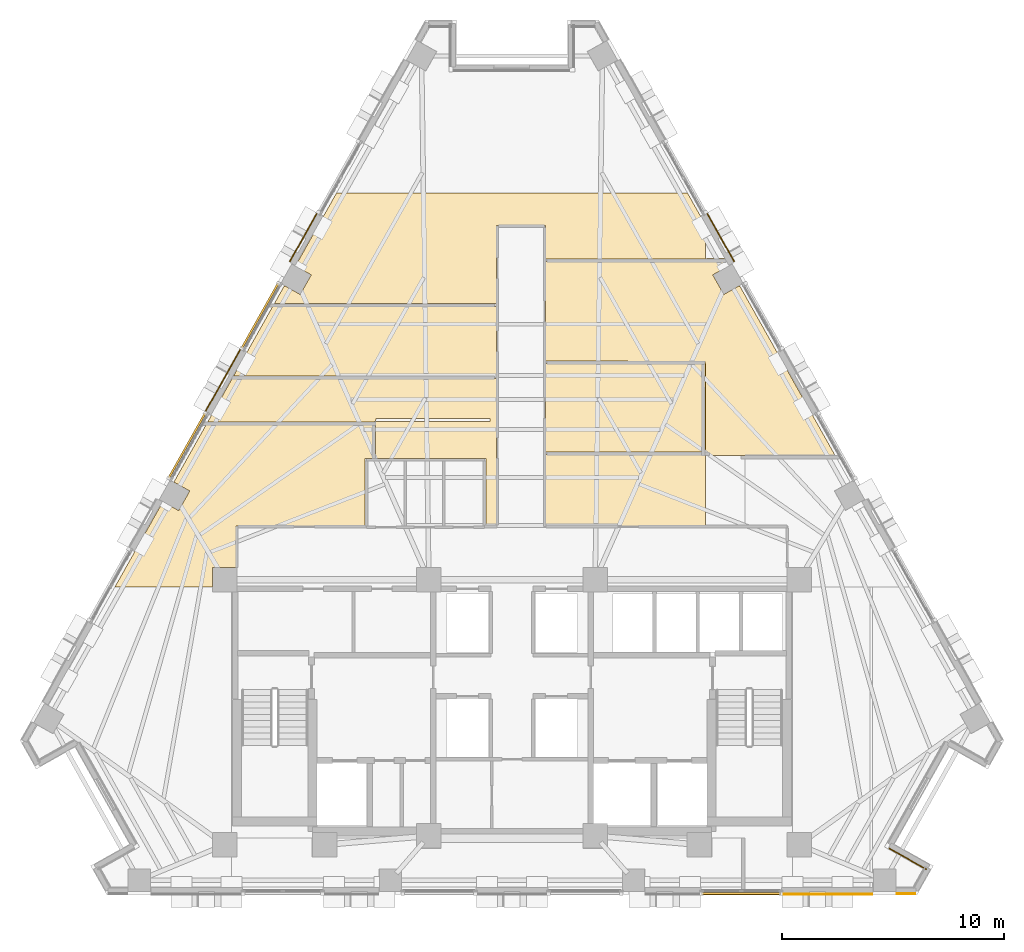
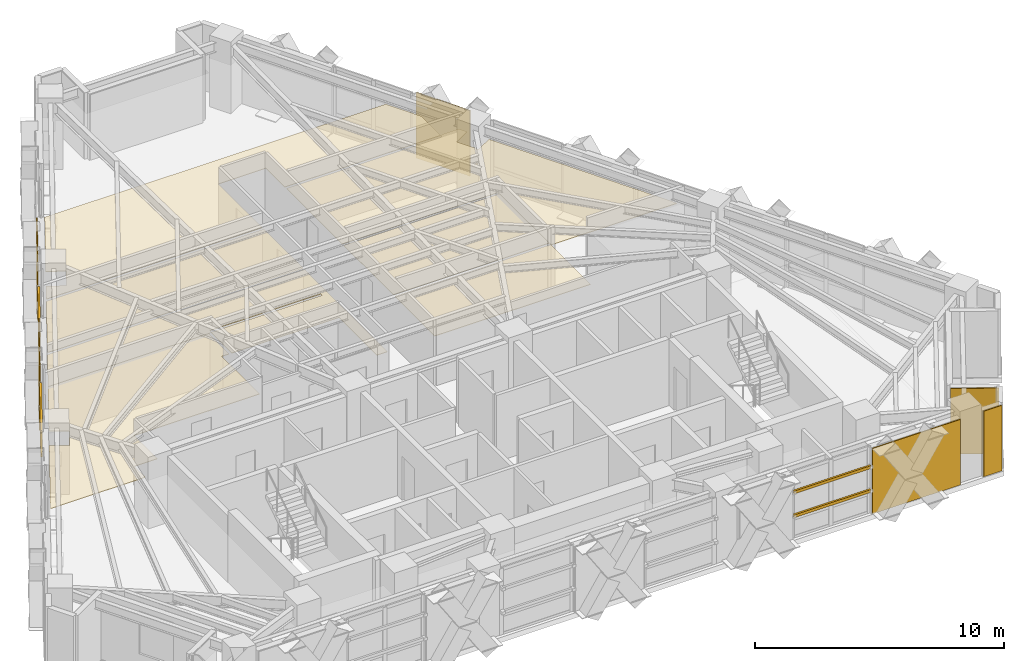
# One storey, part 12 of 14: 13 coverings, 6 shading devices.
"""IFC4 building model written with IfcOpenShell, lengths in metres."""

import ifcopenshell
import ifcopenshell.guid

model = None  # the IFC model being written
_history = None  # IfcOwnerHistory: only IFC2X3 demands one
_inside = {}  # id of a spatial element -> (the spatial element, [elements in it])
_under = {}  # id of a project, library or spatial element -> (it, [spatial elements below it])
_declared = {}  # id of a project -> (the project, [libraries it declares])
_typed = {}  # id of a type object -> (the type object, [elements of that type])
_made_of = {}  # id of a material, layer set ... -> (it, [elements and type objects made of it])


def new_model(schema):
    """Start an empty IFC model of exactly this schema.

    Asked for "IFC4X3", IfcOpenShell would pick the latest addendum, in which some entities
    have other attributes; the version numbers below select the first issue.
    IFC2X3 requires an IfcOwnerHistory on every rooted entity: one is made here for all.
    """
    global model, _history
    if schema == "IFC4X3":
        model = ifcopenshell.file(schema_version=(4, 3, 0, 0))
    else:
        model = ifcopenshell.file(schema=schema)
    _inside.clear()
    _under.clear()
    _declared.clear()
    _typed.clear()
    _made_of.clear()
    _history = None
    if model.schema == "IFC2X3":
        org = make("IfcOrganization", Name="unknown")
        user = make(
            "IfcPersonAndOrganization",
            ThePerson=make("IfcPerson", FamilyName="unknown"),
            TheOrganization=org,
        )
        app = make(
            "IfcApplication",
            ApplicationDeveloper=org,
            Version="unknown",
            ApplicationFullName="unknown",
            ApplicationIdentifier="unknown",
        )
        _history = make(
            "IfcOwnerHistory",
            OwningUser=user,
            OwningApplication=app,
            ChangeAction="ADDED",
            CreationDate=0,
        )
    return model


def make(cls, **values):
    """One entity of the class cls with the attributes given. An attribute that is None is left unset."""
    return model.create_entity(
        cls, **{name: value for name, value in values.items() if value is not None}
    )


def rooted(cls, **values):
    """An entity with a GlobalId (a new one), such as an element, a storey or a relation."""
    return make(cls, GlobalId=ifcopenshell.guid.new(), OwnerHistory=_history, **values)


def si_unit(unit_type, name, prefix=None):
    """IfcSIUnit, for example si_unit("LENGTHUNIT", "METRE", prefix="MILLI")."""
    return make("IfcSIUnit", UnitType=unit_type, Prefix=prefix, Name=name)


def assignment(units):
    """IfcUnitAssignment: the units of a project."""
    return None if units is None else make("IfcUnitAssignment", Units=units)


def point(xyz):
    """IfcCartesianPoint."""
    return None if xyz is None else make("IfcCartesianPoint", Coordinates=xyz)


def direction(xyz):
    """IfcDirection."""
    return None if xyz is None else make("IfcDirection", DirectionRatios=xyz)


def frame(location, z_axis=None, x_axis=None):
    """IfcAxis2Placement3D, a coordinate frame: its origin and axes. An axis left out is left unset."""
    return make(
        "IfcAxis2Placement3D",
        Location=point(location),
        Axis=direction(z_axis),
        RefDirection=direction(x_axis),
    )


def frame_2d(location, x_axis=None):
    """IfcAxis2Placement2D, a coordinate frame in the plane: its origin and x axis."""
    return make(
        "IfcAxis2Placement2D", Location=point(location), RefDirection=direction(x_axis)
    )


def origin():
    """The frame at (0, 0, 0) with its axes left unset."""
    return frame((0.0, 0.0, 0.0))


def origin_2d():
    """The frame at (0, 0) in the plane with its x axis left unset."""
    return frame_2d((0.0, 0.0))


def place(relative_to, where):
    """IfcLocalPlacement: puts the frame where relative to a parent placement (None: the world)."""
    return make(
        "IfcLocalPlacement", PlacementRelTo=relative_to, RelativePlacement=where
    )


def context(
    kind, dimensions, precision=None, world=None, true_north=None, identifier=None
):
    """IfcGeometricRepresentationContext, for example the 3D "Model" context."""
    return make(
        "IfcGeometricRepresentationContext",
        ContextIdentifier=identifier,
        ContextType=kind,
        CoordinateSpaceDimension=dimensions,
        Precision=precision,
        WorldCoordinateSystem=world,
        TrueNorth=true_north,
    )


def subcontext(parent, identifier, kind, view, scale=None):
    """IfcGeometricRepresentationSubContext, for example "Body" below "Model"."""
    return make(
        "IfcGeometricRepresentationSubContext",
        ContextIdentifier=identifier,
        ContextType=kind,
        ParentContext=parent,
        TargetScale=scale,
        TargetView=view,
    )


def project(units=None, contexts=None):
    """IfcProject with its units and contexts."""
    return rooted(
        "IfcProject",
        Name="project",
        RepresentationContexts=contexts,
        UnitsInContext=assignment(units),
    )


def spatial(cls, under=None, at=None, **own):
    """A site, building, storey or space (cls), placed at a placement, below another one or the project."""
    s = rooted(cls, ObjectPlacement=at, **own)
    if under is not None:
        _under.setdefault(under.id(), (under, []))[1].append(s)
    return s


def polyline(points):
    """IfcPolyline through the points."""
    return make("IfcPolyline", Points=[point(p) for p in points])


def profile(cls, at=None, kind="AREA", **sizes):
    """A parametric profile (cls). Its sizes go by their IFC names, for example OverallWidth=200.0."""
    return make(cls, ProfileType=kind, Position=at, **sizes)


def rectangle(**sizes):
    """IfcRectangleProfileDef."""
    return profile("IfcRectangleProfileDef", **sizes)


def outline(outer, holes=None, kind="AREA"):
    """IfcArbitraryClosedProfileDef: a profile drawn as a closed curve; with holes, ...WithVoids."""
    if holes is None:
        return make("IfcArbitraryClosedProfileDef", ProfileType=kind, OuterCurve=outer)
    return make(
        "IfcArbitraryProfileDefWithVoids",
        ProfileType=kind,
        OuterCurve=outer,
        InnerCurves=holes,
    )


def extrude(swept, where, along, depth):
    """IfcExtrudedAreaSolid: the profile swept, set in the frame where, extruded along a direction by depth."""
    return make(
        "IfcExtrudedAreaSolid",
        SweptArea=swept,
        Position=where,
        ExtrudedDirection=direction(along),
        Depth=depth,
    )


def shape(context_of_items, identifier, shape_type, items):
    """IfcShapeRepresentation: the items that make up one representation, for example the "Body"."""
    return make(
        "IfcShapeRepresentation",
        ContextOfItems=context_of_items,
        RepresentationIdentifier=identifier,
        RepresentationType=shape_type,
        Items=items,
    )


def material(Name=None, Category=None):
    """IfcMaterial."""
    return make("IfcMaterial", Name=Name, Category=Category)


def layer(
    of_material, thickness, ventilated=None, Name=None, Category=None, Priority=None
):
    """IfcMaterialLayer: one layer of a wall or slab, of a material (None: an air gap)."""
    return make(
        "IfcMaterialLayer",
        Material=of_material,
        LayerThickness=thickness,
        IsVentilated=ventilated,
        Name=Name,
        Category=Category,
        Priority=Priority,
    )


def layer_set(layers, Name=None):
    """IfcMaterialLayerSet."""
    return make("IfcMaterialLayerSet", MaterialLayers=layers, LayerSetName=Name)


def material_profile(
    of_material, cross_section, Name=None, Category=None, Priority=None
):
    """IfcMaterialProfile: a cross section and its material."""
    return make(
        "IfcMaterialProfile",
        Name=Name,
        Material=of_material,
        Profile=cross_section,
        Priority=Priority,
        Category=Category,
    )


def profile_set(profiles, Name=None, composite=None):
    """IfcMaterialProfileSet."""
    return make(
        "IfcMaterialProfileSet",
        Name=Name,
        MaterialProfiles=profiles,
        CompositeProfile=composite,
    )


def made_of(thing, what):
    """Note that an element or type object is made of a material, layer set ...; save() writes the relation."""
    if what is not None:
        _made_of.setdefault(what.id(), (what, []))[1].append(thing)
    return thing


def type_object(cls, material=None, **own):
    """A type object (cls), such as IfcWallType, which elements share."""
    return made_of(rooted(cls, **own), material)


def element(
    cls,
    number,
    at=None,
    inside=None,
    cuts=None,
    type_object=None,
    material=None,
    context=None,
    identifier="Body",
    shape_type=None,
    held_by="IfcProductDefinitionShape",
    body=None,
    shapes=None,
    **own,
):
    """One element of the class cls, such as IfcWall. Its Tag is "e" and its number.

    at: its placement. inside: the storey or other place that contains it. cuts: it is an
    opening in that element (IfcRelVoidsElement). A single representation is given by context,
    identifier, shape_type and body (its items); several are given by shapes. held_by: the class
    of the entity that holds the representations. save() writes the other relations.
    """
    e = rooted(cls, Tag="e%d" % number, ObjectPlacement=at, **own)
    if body is not None:
        shapes = [shape(context, identifier, shape_type, body)]
    if shapes is not None:
        e.Representation = make(held_by, Representations=shapes)
    if inside is not None:
        _inside.setdefault(inside.id(), (inside, []))[1].append(e)
    if cuts is not None:
        rooted(
            "IfcRelVoidsElement", RelatingBuildingElement=cuts, RelatedOpeningElement=e
        )
    if type_object is not None:
        _typed.setdefault(type_object.id(), (type_object, []))[1].append(e)
    return made_of(e, material)


def aggregate(whole, parts):
    """IfcRelAggregates: a whole, such as a stair, and the parts it consists of."""
    return rooted("IfcRelAggregates", RelatingObject=whole, RelatedObjects=parts)


def save(model, path):
    """Write the relations noted so far, then the file.

    IfcRelAggregates (storeys below a building ...), IfcRelContainedInSpatialStructure (elements
    in a storey), IfcRelDefinesByType, IfcRelAssociatesMaterial and IfcRelDeclares: one each for
    every whole, place, type object, material and project.
    """
    for whole, parts in _under.values():
        aggregate(whole, parts)
    for where, things in _inside.values():
        rooted(
            "IfcRelContainedInSpatialStructure",
            RelatedElements=things,
            RelatingStructure=where,
        )
    for kind, things in _typed.values():
        rooted("IfcRelDefinesByType", RelatedObjects=things, RelatingType=kind)
    for what, things in _made_of.values():
        rooted("IfcRelAssociatesMaterial", RelatedObjects=things, RelatingMaterial=what)
    for by, libraries in _declared.values():
        rooted("IfcRelDeclares", RelatingContext=by, RelatedDefinitions=libraries)
    model.write(path)


model = new_model("IFC4")

# Units and contexts
model_context = context("Model", 3, precision=1e-05, world=origin(), true_north=direction((0.0, 1.0)))
body_context = subcontext(model_context, "Body", "Model", "MODEL_VIEW")
ifc_project = project(units=[si_unit("LENGTHUNIT", "METRE"), si_unit("AREAUNIT", "SQUARE_METRE"), si_unit("VOLUMEUNIT", "CUBIC_METRE"), si_unit("PLANEANGLEUNIT", "RADIAN"), si_unit("MASSUNIT", "GRAM", prefix="KILO")], contexts=[model_context])

# Site, building, storey
site_placement = place(None, origin())
site = spatial("IfcSite", under=ifc_project, at=site_placement, CompositionType="ELEMENT")
building_placement = place(site_placement, origin())
building = spatial("IfcBuilding", under=site, at=building_placement, Name="Quenlor Broadcast Tower", CompositionType="ELEMENT")
storey_placement = place(building_placement, frame((0.0, 0.0, 133.5)))
storey = spatial("IfcBuildingStorey", under=building, at=storey_placement, Name="L36", CompositionType="ELEMENT", Elevation=133.5)

# Coverings
ifc_material_1 = material(Name="Acoustic Mineral Fibre Board", Category="other")
ifc_layer_1 = layer(ifc_material_1, 0.02490234375)
ifc_layer_set_1 = layer_set([ifc_layer_1], Name="Acoustic Perforated Mineral Tile Ceiling 25")
covering_type_1 = type_object("IfcCoveringType", Name="Acoustic Perforated Mineral Tile Ceiling 25", PredefinedType="CEILING", material=ifc_layer_set_1)
covering_1_placement = place(storey_placement, frame((0.0, 0.0, 2.375)))
element("IfcCovering", 1, at=covering_1_placement, inside=storey, type_object=covering_type_1, Name="L36 Acoustic Ceiling L36-29", PredefinedType="CEILING", context=body_context, shape_type="SweptSolid", body=[
    extrude(outline(polyline([(8.719970703125, 11.204345703125), (8.719970703125, 9.659912109375), (1.5, 9.659912109375), (1.5, 11.179931640625), (-0.699951171875, 11.179931640625), (-0.699951171875, 7.647705078125), (-10.720458984375, 7.647705078125), (-10.26220703125, 8.46240234375), (-9.54931640625, 8.0615234375), (-9.05126953125, 8.947021484375), (-9.76416015625, 9.347900390625), (-7.90673828125, 12.64990234375), (7.90673828125, 12.64990234375), (8.719970703125, 11.204345703125)])), origin(), (0.0, 0.0, 1.0), 0.02490234375),
])
covering_2_placement = place(storey_placement, frame((0.0, 0.0, 2.375)))
element("IfcCovering", 2, at=covering_2_placement, inside=storey, type_object=covering_type_1, Name="L36 Acoustic Ceiling L36-30", PredefinedType="CEILING", context=body_context, shape_type="SweptSolid", body=[
    extrude(outline(polyline([(-0.699951171875, 7.52783203125), (-0.699951171875, 4.385009765625), (-12.555908203125, 4.385009765625), (-10.7880859375, 7.52783203125), (-0.699951171875, 7.52783203125)])), origin(), (0.0, 0.0, 1.0), 0.02490234375),
])
covering_3_placement = place(storey_placement, frame((0.0, 0.0, 2.375)))
element("IfcCovering", 3, at=covering_3_placement, inside=storey, type_object=covering_type_1, Name="L36 Acoustic Ceiling L36-31", PredefinedType="CEILING", context=body_context, shape_type="SweptSolid", body=[
    extrude(outline(polyline([(14.482421875, 0.81005859375), (8.840087890625, 0.81005859375), (8.810791015625, 0.81298828125), (8.78271484375, 0.8212890625), (8.756591796875, 0.835205078125), (8.73388671875, 0.85400390625), (8.71533203125, 0.876708984375), (8.701416015625, 0.902587890625), (8.69287109375, 0.9306640625), (8.68994140625, 0.9599609375), (8.68994140625, 4.93994140625), (8.69287109375, 4.96923828125), (8.701416015625, 4.997314453125), (8.696533203125, 5.0166015625), (8.690673828125, 5.04541015625), (1.5, 5.06005859375), (1.5, 9.5400390625), (8.68994140625, 9.5400390625), (8.69287109375, 9.5693359375), (8.701416015625, 9.597412109375), (8.71533203125, 9.623291015625), (8.73388671875, 9.64599609375), (8.756591796875, 9.664794921875), (8.78271484375, 9.6787109375), (8.810791015625, 9.68701171875), (8.840087890625, 9.68994140625), (9.57177734375, 9.68994140625), (9.76416015625, 9.347900390625), (9.05126953125, 8.947021484375), (9.54931640625, 8.0615234375), (10.26220703125, 8.46240234375), (12.052978515625, 5.27880859375), (12.1591796875, 5.090087890625), (14.555908203125, 0.829345703125), (14.540283203125, 0.82177734375), (14.511962890625, 0.81298828125), (14.482421875, 0.81005859375)])), origin(), (0.0, 0.0, 1.0), 0.02490234375),
])
covering_4_placement = place(storey_placement, frame((0.0, 0.0, 2.375)))
element("IfcCovering", 4, at=covering_4_placement, inside=storey, type_object=covering_type_1, Name="L36 Acoustic Ceiling L36-32", PredefinedType="CEILING", context=body_context, shape_type="SweptSolid", body=[
    extrude(outline(polyline([(1.5, 0.9599609375), (1.5, 4.93994140625), (8.719970703125, 4.93994140625), (8.719970703125, 0.9599609375), (1.5, 0.9599609375)])), origin(), (0.0, 0.0, 1.0), 0.02490234375),
])
covering_5_placement = place(storey_placement, frame((0.0, 0.0, 2.375)))
element("IfcCovering", 5, at=covering_5_placement, inside=storey, type_object=covering_type_1, Name="L36 Acoustic Ceiling L36-33", PredefinedType="CEILING", context=body_context, shape_type="SweptSolid", body=[
    extrude(outline(polyline([(-6.159912109375, 0.669921875), (-6.159912109375, 2.340087890625), (-1.0, 2.340087890625), (-1.0, 2.4599609375), (-6.1298828125, 2.4599609375), (-6.1328125, 2.4306640625), (-6.141357421875, 2.402587890625), (-6.1552734375, 2.376708984375), (-6.173828125, 2.35400390625), (-6.19677734375, 2.335205078125), (-6.22265625, 2.3212890625), (-6.250732421875, 2.31298828125), (-6.280029296875, 2.31005859375), (-13.638671875, 2.31005859375), (-13.668212890625, 2.31298828125), (-13.696533203125, 2.32177734375), (-13.712158203125, 2.329345703125), (-12.623291015625, 4.264892578125), (-0.699951171875, 4.264892578125), (-0.699951171875, -2.3701171875), (-1.179931640625, -2.3701171875), (-1.179931640625, 0.669921875), (-6.159912109375, 0.669921875)])), origin(), (0.0, 0.0, 1.0), 0.02490234375),
])
covering_6_placement = place(storey_placement, frame((0.0, 0.0, 2.375)))
element("IfcCovering", 6, at=covering_6_placement, inside=storey, type_object=covering_type_1, Name="L36 Acoustic Ceiling L36-34", PredefinedType="CEILING", context=body_context, shape_type="SweptSolid", body=[
    extrude(outline(polyline([(8.719970703125, -2.3701171875), (1.5, -2.3701171875), (1.5, 0.840087890625), (8.719970703125, 0.840087890625), (8.719970703125, -2.3701171875)])), origin(), (0.0, 0.0, 1.0), 0.02490234375),
])
covering_7_placement = place(storey_placement, frame((0.0, 0.0, 2.375)))
element("IfcCovering", 7, at=covering_7_placement, inside=storey, type_object=covering_type_1, Name="L36 Acoustic Ceiling L36-36", PredefinedType="CEILING", context=body_context, shape_type="SweptSolid", body=[
    extrude(outline(polyline([(-15.7431640625, -1.281494140625), (-15.0302734375, -1.6826171875), (-14.5322265625, -0.797119140625), (-15.2451171875, -0.39599609375), (-13.706298828125, 2.340087890625), (-6.280029296875, 2.340087890625), (-6.280029296875, 0.669921875), (-6.6201171875, 0.669921875), (-6.6201171875, -2.3701171875), (-12.43994140625, -2.3701171875), (-12.43994140625, -4.241943359375), (-13.508056640625, -4.241943359375), (-13.508056640625, -5.1201171875), (-17.90234375, -5.1201171875), (-15.7431640625, -1.281494140625)])), origin(), (0.0, 0.0, 1.0), 0.02490234375),
])

# Shading devices
ifc_material_2 = material(Name="Architectural Terracotta Ceramic", Category="masonry")
ifc_material_profile = material_profile(ifc_material_2, rectangle(XDim=0.090087890625, YDim=0.139892578125, at=origin_2d()))
ifc_profile_set = profile_set([ifc_material_profile], Name="Architectural Terracotta Ceramic BAG90x140")
shading_device_type = type_object("IfcShadingDeviceType", Name="Copper Terracotta Baguette Solar Screen 140", PredefinedType="USERDEFINED", material=ifc_profile_set)
for number, where, z_axis, x_axis, name in (
    (8, (12.114013671875, -18.952880859375, 1.169921875), (-1.0, 0.0, 0.0), (0.0, -1.0, 0.0), "L36 Terracotta Baguette Screen 1"),
    (9, (12.114013671875, -18.952880859375, 2.340087890625), (-1.0, 0.0, 0.0), (0.0, -1.0, 0.0), "L36 Terracotta Baguette Screen 2"),
):
    element("IfcShadingDevice", number, at=place(storey_placement, frame(where, z_axis=z_axis, x_axis=x_axis)), inside=storey, type_object=shading_device_type, Name=name, ObjectType="BAGUETTE", PredefinedType="USERDEFINED", context=body_context, shape_type="SweptSolid", body=[
        extrude(rectangle(XDim=0.090087890625, YDim=0.139892578125, at=origin_2d()), origin(), (0.0, 0.0, 1.0), 3.56396484375),
    ])
for number, where, z_axis, x_axis, name in (
    (10, (-15.4775390625, -0.211181640625, 1.169921875), (0.490288918116, 0.871559967399, 0.0), (-0.871559967399, 0.490288918116, 0.0), "L36 Terracotta Baguette Screen 1"),
    (11, (-15.4775390625, -0.211181640625, 2.340087890625), (0.490288918116, 0.871559967399, 0.0), (-0.871559967399, 0.490288918116, 0.0), "L36 Terracotta Baguette Screen 2"),
    (12, (-12.18310546875, 5.64501953125, 1.169921875), (0.490257780007, 0.871577483155, 0.0), (-0.871577483155, 0.490257780007, 0.0), "L36 Terracotta Baguette Screen 1"),
    (13, (-12.18310546875, 5.64501953125, 2.340087890625), (0.490257780007, 0.871577483155, 0.0), (-0.871577483155, 0.490257780007, 0.0), "L36 Terracotta Baguette Screen 2"),
):
    element("IfcShadingDevice", number, at=place(storey_placement, frame(where, z_axis=z_axis, x_axis=x_axis)), inside=storey, type_object=shading_device_type, Name=name, ObjectType="BAGUETTE", PredefinedType="USERDEFINED", context=body_context, shape_type="SweptSolid", body=[
        extrude(rectangle(XDim=0.090087890625, YDim=0.139892578125, at=origin_2d()), origin(), (0.0, 0.0, 1.0), 3.350341796875),
    ])

# Coverings
ifc_material_3 = material(Name="Architectural Terracotta Ceramic", Category="masonry")
ifc_layer_2 = layer(ifc_material_3, 0.044921875)
ifc_layer_set_2 = layer_set([ifc_layer_2], Name="Fluted Terracotta Rainscreen Cladding Panel")
covering_type_2 = type_object("IfcCoveringType", Name="Fluted Terracotta Rainscreen Cladding Panel", PredefinedType="CLADDING", material=ifc_layer_set_2)
covering_8_placement = place(storey_placement, frame((0.0, 0.0, 0.02001953125)))
element("IfcCovering", 14, at=covering_8_placement, inside=storey, type_object=covering_type_2, Name="L36 Terracotta Rainscreen Cladding L36-SHD-SS0", PredefinedType="CLADDING", context=body_context, shape_type="SweptSolid", body=[
    extrude(outline(polyline([(18.179931640625, -18.93701171875), (17.343505859375, -18.93701171875), (17.343505859375, -18.98193359375), (18.179931640625, -18.98193359375), (18.179931640625, -18.93701171875)])), origin(), (0.0, 0.0, 1.0), 3.2099609375),
])
covering_9_placement = place(storey_placement, frame((0.0, 0.0, 0.02001953125)))
element("IfcCovering", 15, at=covering_9_placement, inside=storey, type_object=covering_type_2, Name="L36 Terracotta Rainscreen Cladding L36-SA-SP1", PredefinedType="CLADDING", context=body_context, shape_type="SweptSolid", body=[
    extrude(outline(polyline([(16.25341796875, -18.95703125), (12.178955078125, -18.95703125), (12.178955078125, -19.001953125), (16.25341796875, -19.001953125), (16.25341796875, -18.95703125)])), origin(), (0.0, 0.0, 1.0), 3.2099609375),
])
covering_10_placement = place(storey_placement, frame((0.0, 0.0, 0.02001953125)))
element("IfcCovering", 16, at=covering_10_placement, inside=storey, type_object=covering_type_2, Name="L36 Terracotta Rainscreen Cladding L36-NEA-SP2", PredefinedType="CLADDING", context=body_context, shape_type="SweptSolid", body=[
    extrude(outline(polyline([(8.7705078125, 11.720458984375), (10.0, 9.53466796875), (10.039306640625, 9.556640625), (8.809814453125, 11.742431640625), (8.7705078125, 11.720458984375)])), origin(), (0.0, 0.0, 1.0), 3.2099609375),
])
covering_11_placement = place(storey_placement, frame((0.0, 0.0, 0.02001953125)))
element("IfcCovering", 17, at=covering_11_placement, inside=storey, type_object=covering_type_2, Name="L36 Terracotta Rainscreen Cladding L36-NWC-SP1", PredefinedType="CLADDING", context=body_context, shape_type="SweptSolid", body=[
    extrude(outline(polyline([(-10.0, 9.53466796875), (-8.7705078125, 11.720458984375), (-8.809814453125, 11.742431640625), (-10.039306640625, 9.556640625), (-10.0, 9.53466796875)])), origin(), (0.0, 0.0, 1.0), 3.2099609375),
])
covering_12_placement = place(storey_placement, frame((0.0, 0.0, 0.02001953125)))
element("IfcCovering", 18, at=covering_12_placement, inside=storey, type_object=covering_type_2, Name="L36 Terracotta Rainscreen Cladding L36-NW-SP1", PredefinedType="CLADDING", context=body_context, shape_type="SweptSolid", body=[
    extrude(outline(polyline([(-13.806396484375, 2.767333984375), (-12.218505859375, 5.59033203125), (-12.2578125, 5.6123046875), (-13.845703125, 2.789306640625), (-13.806396484375, 2.767333984375)])), origin(), (0.0, 0.0, 1.0), 3.2099609375),
])
covering_13_placement = place(storey_placement, frame((0.0, 0.0, 0.02001953125)))
element("IfcCovering", 19, at=covering_13_placement, inside=storey, type_object=covering_type_2, Name="L36 Terracotta Rainscreen Cladding L36-CNR-01", PredefinedType="CLADDING", context=body_context, shape_type="SweptSolid", body=[
    extrude(outline(polyline([(18.702880859375, -17.8427734375), (17.011962890625, -16.8916015625), (16.989990234375, -16.930908203125), (18.680908203125, -17.882080078125), (18.702880859375, -17.8427734375)])), origin(), (0.0, 0.0, 1.0), 3.2099609375),
])

save(model, "model.ifc")
